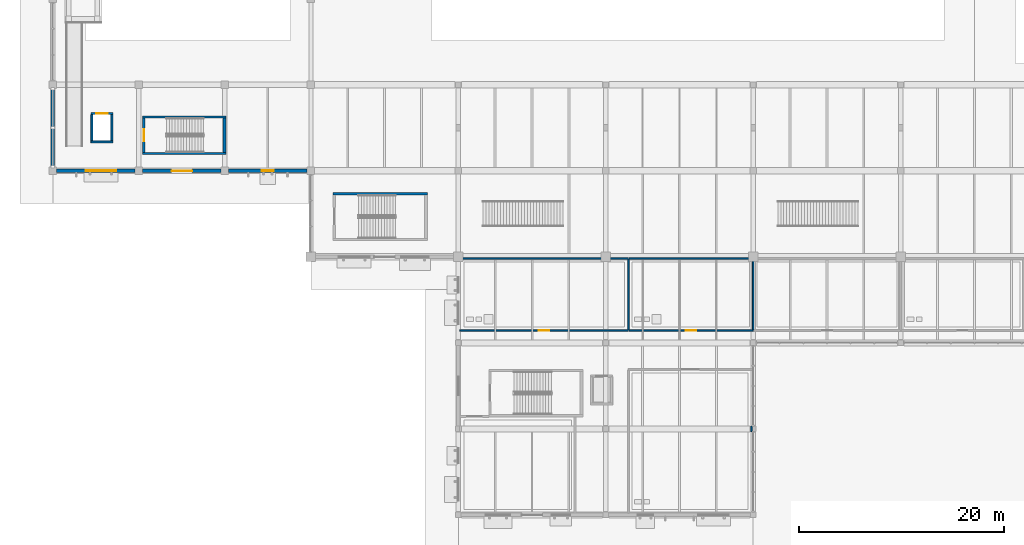
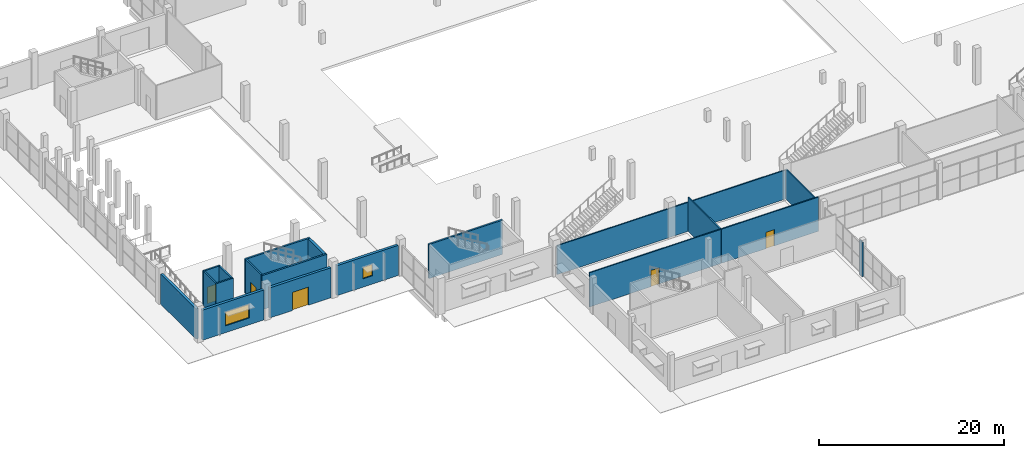
# One storey, part 91 of 130: 20 walls, 5 doors, 2 windows, 7 openings.
"""IFC4 building model written with IfcOpenShell, lengths in metres."""

from ifc_helpers import new_model, si_unit, direction, frame, frame_2d, origin, place, context, subcontext, project, spatial, rectangle, extrude, material, layer, layer_set, type_object, element, fill, save


model = new_model("IFC4")

# Units and contexts
model_context = context("Model", 3, precision=1e-05, world=origin(), true_north=direction((0.0, 1.0)))
body_context = subcontext(model_context, "Body", "Model", "MODEL_VIEW")
ifc_project = project(units=[si_unit("LENGTHUNIT", "METRE"), si_unit("AREAUNIT", "SQUARE_METRE"), si_unit("VOLUMEUNIT", "CUBIC_METRE"), si_unit("PLANEANGLEUNIT", "RADIAN"), si_unit("MASSUNIT", "GRAM", prefix="KILO"), si_unit("THERMODYNAMICTEMPERATUREUNIT", "KELVIN")], contexts=[model_context])

# Site, building, storey
site_placement = place(None, origin())
site = spatial("IfcSite", under=ifc_project, at=site_placement, CompositionType="ELEMENT")
building_placement = place(site_placement, origin())
building = spatial("IfcBuilding", under=site, at=building_placement, Name="Nduvali Passage Aquatics Centre", CompositionType="ELEMENT")
storey_placement = place(building_placement, origin())
storey = spatial("IfcBuildingStorey", under=building, at=storey_placement, Name="L00", CompositionType="ELEMENT", Elevation=0.0)

# Wall, opening, window
ifc_material_1 = material(Name="Coral-stone masonry blockwork", Category="masonry")
ifc_layer_1 = layer(ifc_material_1, 0.320068359375, Name="Coral-stone masonry blockwork")
ifc_layer_set_1 = layer_set([ifc_layer_1], Name="Coral-stone masonry blockwork")
wall_type_1 = type_object("IfcWallType", Name="ENV-WAL-CORAL320", PredefinedType="STANDARD", material=ifc_layer_set_1)
wall_1_placement = place(storey_placement, frame((0.375, 33.60009765625, 0.0), z_axis=(0.0, 0.0, 1.0), x_axis=(1.0, 0.0, 0.0)))
wall_1 = element("IfcWall", 1, at=wall_1_placement, inside=storey, type_object=wall_type_1, Name="L00 Diving South Facade 0021", PredefinedType="STANDARD", context=body_context, shape_type="SweptSolid", body=[
    extrude(rectangle(XDim=7.64990234375, YDim=0.320068359375, at=frame_2d((3.824951171875, 0.0))), origin(), (0.0, 0.0, 1.0), 3.976318359375),
])
opening_1_placement = place(wall_1_placement, frame((2.824951171875, 0.0, 0.89990234375)))
opening_1 = element("IfcOpeningElement", 2, at=opening_1_placement, cuts=wall_1, Name="Opening W4", PredefinedType="OPENING", context=body_context, shape_type="SweptSolid", body=[
    extrude(rectangle(XDim=3.0, YDim=1.800048828125, at=frame_2d((1.5, 0.89990234375))), frame((0.0, 0.1748046875, 0.0), z_axis=(0.0, -1.0, 0.0), x_axis=(1.0, 0.0, 0.0)), (0.0, 0.0, 1.0), 0.349853515625),
])
ifc_material_2 = material(Name="Aluminium-framed solar-control low-E IGU", Category="aluminium")
window_type_1 = type_object("IfcWindowType", Name="ENV-WIN-W4", PartitioningType="SINGLE_PANEL", PredefinedType="WINDOW", material=ifc_material_2)
window_1_placement = place(opening_1_placement, origin())
window_1 = element("IfcWindow", 3, at=window_1_placement, inside=storey, type_object=window_type_1, Name="L00 Exterior Window W4-0035", OverallHeight=1.800048828125, OverallWidth=3.0, PartitioningType="SINGLE_PANEL", PredefinedType="WINDOW", context=body_context, shape_type="SweptSolid", body=[
    extrude(rectangle(XDim=3.0, YDim=1.800048828125, at=frame_2d((1.5, 0.89990234375))), frame((0.0, 0.030029296875, 0.0), z_axis=(0.0, -1.0, 0.0), x_axis=(1.0, 0.0, 0.0)), (0.0, 0.0, 1.0), 0.06005859375),
])
fill(opening_1, window_1)

# Wall, opening, door
wall_2_placement = place(storey_placement, frame((8.77490234375, 33.60009765625, 0.0), z_axis=(0.0, 0.0, 1.0), x_axis=(1.0, 0.0, 0.0)))
wall_2 = element("IfcWall", 4, at=wall_2_placement, inside=storey, type_object=wall_type_1, Name="L00 Diving South Facade 0023", PredefinedType="STANDARD", context=body_context, shape_type="SweptSolid", body=[
    extrude(rectangle(XDim=7.650146484375, YDim=0.320068359375, at=frame_2d((3.8251953125, 0.0))), origin(), (0.0, 0.0, 1.0), 3.976318359375),
])
opening_2_placement = place(wall_2_placement, frame((2.824951171875, 0.0, 0.0)))
opening_2 = element("IfcOpeningElement", 5, at=opening_2_placement, cuts=wall_2, Name="Opening ED2", PredefinedType="OPENING", context=body_context, shape_type="SweptSolid", body=[
    extrude(rectangle(XDim=2.0, YDim=2.39990234375, at=frame_2d((1.0, 1.199951171875))), frame((0.0, 0.1748046875, 0.0), z_axis=(0.0, -1.0, 0.0), x_axis=(1.0, 0.0, 0.0)), (0.0, 0.0, 1.0), 0.349853515625),
])
ifc_material_3 = material(Name="Aluminium-framed glazed door", Category="aluminium")
door_type_1 = type_object("IfcDoorType", Name="ENV-DR-EX200", OperationType="DOUBLE_DOOR_SINGLE_SWING", PredefinedType="DOOR", material=ifc_material_3)
door_1_placement = place(opening_2_placement, frame((2.0, 0.0, 0.0), z_axis=(0.0, 0.0, 1.0), x_axis=(-1.0, 0.0, 0.0)))
door_1 = element("IfcDoor", 6, at=door_1_placement, inside=storey, type_object=door_type_1, Name="L00 Exterior Exit Door ED2-005", OperationType="DOUBLE_DOOR_SINGLE_SWING", OverallHeight=2.39990234375, OverallWidth=2.0, PredefinedType="DOOR", context=body_context, shape_type="SweptSolid", body=[
    extrude(rectangle(XDim=2.0, YDim=2.39990234375, at=frame_2d((1.0, 1.199951171875))), frame((0.0, 0.02490234375, 0.0), z_axis=(0.0, -1.0, 0.0), x_axis=(1.0, 0.0, 0.0)), (0.0, 0.0, 1.0), 0.050048828125),
])
fill(opening_2, door_1)

# Wall, opening, window
wall_3_placement = place(storey_placement, frame((17.175048828125, 33.60009765625, 0.0), z_axis=(0.0, 0.0, 1.0), x_axis=(1.0, 0.0, 0.0)))
wall_3 = element("IfcWall", 7, at=wall_3_placement, inside=storey, type_object=wall_type_1, Name="L00 Diving South Facade 0025", PredefinedType="STANDARD", context=body_context, shape_type="SweptSolid", body=[
    extrude(rectangle(XDim=7.64990234375, YDim=0.320068359375, at=frame_2d((3.824951171875, 0.0))), origin(), (0.0, 0.0, 1.0), 3.976318359375),
])
opening_3_placement = place(wall_3_placement, frame((3.22509765625, 0.0, 1.10009765625)))
opening_3 = element("IfcOpeningElement", 8, at=opening_3_placement, cuts=wall_3, Name="Opening W6", PredefinedType="OPENING", context=body_context, shape_type="SweptSolid", body=[
    extrude(rectangle(XDim=1.199951171875, YDim=1.5, at=frame_2d((0.60009765625, 0.75))), frame((0.0, 0.1748046875, 0.0), z_axis=(0.0, -1.0, 0.0), x_axis=(1.0, 0.0, 0.0)), (0.0, 0.0, 1.0), 0.349853515625),
])
window_type_2 = type_object("IfcWindowType", Name="ENV-WIN-W6", PartitioningType="SINGLE_PANEL", PredefinedType="WINDOW", material=ifc_material_2)
window_2_placement = place(opening_3_placement, origin())
window_2 = element("IfcWindow", 9, at=window_2_placement, inside=storey, type_object=window_type_2, Name="L00 Exterior Window W6-0037", OverallHeight=1.5, OverallWidth=1.199951171875, PartitioningType="SINGLE_PANEL", PredefinedType="WINDOW", context=body_context, shape_type="SweptSolid", body=[
    extrude(rectangle(XDim=1.199951171875, YDim=1.5, at=frame_2d((0.60009765625, 0.75))), frame((0.0, 0.030029296875, 0.0), z_axis=(0.0, -1.0, 0.0), x_axis=(1.0, 0.0, 0.0)), (0.0, 0.0, 1.0), 0.06005859375),
])
fill(opening_3, window_2)

# Walls
wall_4_placement = place(storey_placement, frame((0.0, 41.625, 0.0), z_axis=(0.0, 0.0, 1.0), x_axis=(0.0, -1.0, 0.0)))
element("IfcWall", 10, at=wall_4_placement, inside=storey, type_object=wall_type_1, Name="L00 Diving West Facade 0027", PredefinedType="STANDARD", context=body_context, shape_type="SweptSolid", body=[
    extrude(rectangle(XDim=7.64990234375, YDim=0.320068359375, at=frame_2d((3.824951171875, 0.0))), origin(), (0.0, 0.0, 1.0), 3.976318359375),
])
ifc_material_4 = material(Name="Concrete C40/50", Category="concrete")
ifc_layer_2 = layer(ifc_material_4, 0.219970703125, Name="Concrete C40/50")
ifc_layer_set_2 = layer_set([ifc_layer_2], Name="Concrete C40/50")
wall_type_2 = type_object("IfcWallType", Name="INT-WAL-CORE220", PredefinedType="SOLIDWALL", material=ifc_layer_set_2)
for number, where, z_axis, x_axis, name in (
    (11, (8.780029296875, 35.2900390625, 0.0), (0.0, 0.0, 1.0), (1.0, 0.0, 0.0), "L00 Stair ST9 Core Wall S"),
    (12, (16.89990234375, 38.860107421875, 0.0), (0.0, 0.0, 1.0), (-1.0, 0.0, 0.0), "L00 Stair ST9 Core Wall N"),
):
    element("IfcWall", number, at=place(storey_placement, frame(where, z_axis=z_axis, x_axis=x_axis)), inside=storey, type_object=wall_type_2, Name=name, PredefinedType="SOLIDWALL", context=body_context, shape_type="SweptSolid", body=[
        extrude(rectangle(XDim=8.119873046875, YDim=0.219970703125, at=frame_2d((4.06005859375, 0.0))), origin(), (0.0, 0.0, 1.0), 4.52001953125),
    ])

# Wall, opening, door
wall_5_placement = place(storey_placement, frame((8.889892578125, 38.75, 0.0), z_axis=(0.0, 0.0, 1.0), x_axis=(0.0, -1.0, 0.0)))
wall_5 = element("IfcWall", 13, at=wall_5_placement, inside=storey, type_object=wall_type_2, Name="L00 Stair ST9 Core Wall W", PredefinedType="SOLIDWALL", context=body_context, shape_type="SweptSolid", body=[
    extrude(rectangle(XDim=3.35009765625, YDim=0.219970703125, at=frame_2d((1.675048828125, 0.0))), origin(), (0.0, 0.0, 1.0), 4.52001953125),
])
opening_4_placement = place(wall_5_placement, frame((1.074951171875, 0.0, 0.0)))
opening_4 = element("IfcOpeningElement", 14, at=opening_4_placement, cuts=wall_5, Name="Opening FD-ST2", PredefinedType="OPENING", context=body_context, shape_type="SweptSolid", body=[
    extrude(rectangle(XDim=1.199951171875, YDim=2.199951171875, at=frame_2d((0.60009765625, 1.10009765625))), frame((0.0, 0.125, 0.0), z_axis=(0.0, -1.0, 0.0), x_axis=(1.0, 0.0, 0.0)), (0.0, 0.0, 1.0), 0.249755859375),
])
ifc_material_5 = material(Name="Galvanised steel door", Category="steel")
door_type_2 = type_object("IfcDoorType", Name="INT-DR-ST120", OperationType="NOTDEFINED", PredefinedType="DOOR", material=ifc_material_5)
door_2_placement = place(opening_4_placement, origin())
door_2 = element("IfcDoor", 15, at=door_2_placement, inside=storey, type_object=door_type_2, Name="L00 Stair ST9 Fire Lobby Door", OperationType="SINGLE_SWING_RIGHT", OverallHeight=2.199951171875, OverallWidth=1.199951171875, PredefinedType="DOOR", context=body_context, shape_type="SweptSolid", body=[
    extrude(rectangle(XDim=1.199951171875, YDim=2.199951171875, at=frame_2d((0.60009765625, 1.10009765625))), frame((0.0, 0.02490234375, 0.0), z_axis=(0.0, -1.0, 0.0), x_axis=(1.0, 0.0, 0.0)), (0.0, 0.0, 1.0), 0.050048828125),
])
fill(opening_4, door_2)

# Walls
wall_6_placement = place(storey_placement, frame((36.60009765625, 31.360107421875, 0.0), z_axis=(0.0, 0.0, 1.0), x_axis=(-1.0, 0.0, 0.0)))
element("IfcWall", 16, at=wall_6_placement, inside=storey, type_object=wall_type_2, Name="L00 Stair ST13 Core Wall N", PredefinedType="SOLIDWALL", context=body_context, shape_type="SweptSolid", body=[
    extrude(rectangle(XDim=9.22021484375, YDim=0.219970703125, at=frame_2d((4.610107421875, 0.0))), origin(), (0.0, 0.0, 1.0), 4.52001953125),
])
ifc_layer_3 = layer(ifc_material_4, 0.18994140625, Name="Concrete C40/50")
ifc_layer_set_3 = layer_set([ifc_layer_3], Name="Concrete C40/50")
wall_type_3 = type_object("IfcWallType", Name="INT-WAL-SHAFT200", PredefinedType="SOLIDWALL", material=ifc_layer_set_3)
wall_7_placement = place(storey_placement, frame((3.72998046875, 36.425048828125, 0.0), z_axis=(0.0, 0.0, 1.0), x_axis=(1.0, 0.0, 0.0)))
element("IfcWall", 17, at=wall_7_placement, inside=storey, type_object=wall_type_3, Name="L00 Lift L5 Shaft Wall S", PredefinedType="SOLIDWALL", context=body_context, shape_type="SweptSolid", body=[
    extrude(rectangle(XDim=2.14013671875, YDim=0.18994140625, at=frame_2d((1.070068359375, 0.0))), origin(), (0.0, 0.0, 1.0), 4.52001953125),
])
wall_8_placement = place(storey_placement, frame((5.77490234375, 36.52001953125, 0.0), z_axis=(0.0, 0.0, 1.0), x_axis=(0.0, 1.0, 0.0)))
element("IfcWall", 18, at=wall_8_placement, inside=storey, type_object=wall_type_3, Name="L00 Lift L5 Shaft Wall E", PredefinedType="SOLIDWALL", context=body_context, shape_type="SweptSolid", body=[
    extrude(rectangle(XDim=2.56005859375, YDim=0.18994140625, at=frame_2d((1.280029296875, 0.0))), origin(), (0.0, 0.0, 1.0), 4.52001953125),
])

# Wall, opening, door
wall_9_placement = place(storey_placement, frame((5.8701171875, 39.175048828125, 0.0), z_axis=(0.0, 0.0, 1.0), x_axis=(-1.0, 0.0, 0.0)))
wall_9 = element("IfcWall", 19, at=wall_9_placement, inside=storey, type_object=wall_type_3, Name="L00 Lift L5 Shaft Wall N", PredefinedType="SOLIDWALL", context=body_context, shape_type="SweptSolid", body=[
    extrude(rectangle(XDim=2.14013671875, YDim=0.18994140625, at=frame_2d((1.070068359375, 0.0))), origin(), (0.0, 0.0, 1.0), 4.52001953125),
])
opening_5_placement = place(wall_9_placement, frame((0.52001953125, 0.0, 0.0)))
opening_5 = element("IfcOpeningElement", 20, at=opening_5_placement, cuts=wall_9, Name="Opening LD5", PredefinedType="OPENING", context=body_context, shape_type="SweptSolid", body=[
    extrude(rectangle(XDim=1.10009765625, YDim=2.199951171875, at=frame_2d((0.550048828125, 1.10009765625))), frame((0.0, 0.10986328125, 0.0), z_axis=(0.0, -1.0, 0.0), x_axis=(1.0, 0.0, 0.0)), (0.0, 0.0, 1.0), 0.2197265625),
])
ifc_material_6 = material(Name="Stainless steel landing door", Category="steel")
door_type_3 = type_object("IfcDoorType", Name="INT-DR-LD5", OperationType="DOUBLE_DOOR_SLIDING", PredefinedType="DOOR", material=ifc_material_6)
door_3_placement = place(opening_5_placement, origin())
door_3 = element("IfcDoor", 21, at=door_3_placement, inside=storey, type_object=door_type_3, Name="L00 Lift L5 Sliding Landing Door LD5", OperationType="DOUBLE_DOOR_SLIDING", OverallHeight=2.199951171875, OverallWidth=1.10009765625, PredefinedType="DOOR", context=body_context, shape_type="SweptSolid", body=[
    extrude(rectangle(XDim=1.10009765625, YDim=2.199951171875, at=frame_2d((0.550048828125, 1.10009765625))), frame((0.0, 0.02490234375, 0.0), z_axis=(0.0, -1.0, 0.0), x_axis=(1.0, 0.0, 0.0)), (0.0, 0.0, 1.0), 0.050048828125),
])
fill(opening_5, door_3)

# Wall
wall_10_placement = place(storey_placement, frame((3.824951171875, 39.080078125, 0.0), z_axis=(0.0, 0.0, 1.0), x_axis=(0.0, -1.0, 0.0)))
element("IfcWall", 22, at=wall_10_placement, inside=storey, type_object=wall_type_3, Name="L00 Lift L5 Shaft Wall W", PredefinedType="SOLIDWALL", context=body_context, shape_type="SweptSolid", body=[
    extrude(rectangle(XDim=2.56005859375, YDim=0.18994140625, at=frame_2d((1.280029296875, 0.0))), origin(), (0.0, 0.0, 1.0), 4.52001953125),
])

# Wall, opening, door
ifc_layer_4 = layer(ifc_material_1, 0.14990234375, Name="Coral-stone masonry blockwork")
ifc_layer_set_4 = layer_set([ifc_layer_4], Name="Coral-stone masonry blockwork")
wall_type_4 = type_object("IfcWallType", Name="INT-WAL-WET150", PredefinedType="PLUMBINGWALL", material=ifc_layer_set_4)
wall_11_placement = place(storey_placement, frame((39.760009765625, 18.0, 0.0), z_axis=(0.0, 0.0, 1.0), x_axis=(1.0, 0.0, 0.0)))
wall_11 = element("IfcWall", 23, at=wall_11_placement, inside=storey, type_object=wall_type_4, Name="L00 Athlete Wet Changing Village West Partition 0043", PredefinedType="PLUMBINGWALL", context=body_context, shape_type="SweptSolid", body=[
    extrude(rectangle(XDim=16.43994140625, YDim=0.14990234375, at=frame_2d((8.219970703125, 0.0))), origin(), (0.0, 0.0, 1.0), 4.52001953125),
])
opening_6_placement = place(wall_11_placement, frame((7.7099609375, 0.0, 0.0)))
opening_6 = element("IfcOpeningElement", 24, at=opening_6_placement, cuts=wall_11, Name="Opening ID1", PredefinedType="OPENING", context=body_context, shape_type="SweptSolid", body=[
    extrude(rectangle(XDim=1.02001953125, YDim=2.14990234375, at=frame_2d((0.510009765625, 1.074951171875))), frame((0.0, 0.08984375, 0.0), z_axis=(0.0, -1.0, 0.0), x_axis=(1.0, 0.0, 0.0)), (0.0, 0.0, 1.0), 0.1796875),
])
ifc_material_7 = material(Name="Timber solid-core door", Category="wood")
door_type_4 = type_object("IfcDoorType", Name="INT-DR-STD100", OperationType="NOTDEFINED", PredefinedType="DOOR", material=ifc_material_7)
door_4_placement = place(opening_6_placement, frame((1.02001953125, 0.0, 0.0), z_axis=(0.0, 0.0, 1.0), x_axis=(-1.0, 0.0, 0.0)))
door_4 = element("IfcDoor", 25, at=door_4_placement, inside=storey, type_object=door_type_4, Name="L00 Athlete Wet Changing Village West Door 0015", OperationType="SINGLE_SWING_RIGHT", OverallHeight=2.14990234375, OverallWidth=1.02001953125, PredefinedType="DOOR", context=body_context, shape_type="SweptSolid", body=[
    extrude(rectangle(XDim=1.02001953125, YDim=2.14990234375, at=frame_2d((0.510009765625, 1.074951171875))), frame((0.0, 0.02490234375, 0.0), z_axis=(0.0, -1.0, 0.0), x_axis=(1.0, 0.0, 0.0)), (0.0, 0.0, 1.0), 0.050048828125),
])
fill(opening_6, door_4)

# Walls
wall_12_placement = place(storey_placement, frame((39.760009765625, 25.0400390625, 0.0), z_axis=(0.0, 0.0, 1.0), x_axis=(1.0, 0.0, 0.0)))
element("IfcWall", 26, at=wall_12_placement, inside=storey, type_object=wall_type_4, Name="L00 Athlete Wet Changing Village West Partition 0044", PredefinedType="PLUMBINGWALL", context=body_context, shape_type="SweptSolid", body=[
    extrude(rectangle(XDim=16.43994140625, YDim=0.14990234375, at=frame_2d((8.219970703125, 0.0))), origin(), (0.0, 0.0, 1.0), 3.83251953125),
])
wall_13_placement = place(storey_placement, frame((56.199951171875, 18.074951171875, 0.0), z_axis=(0.0, 0.0, 1.0), x_axis=(0.0, 1.0, 0.0)))
element("IfcWall", 27, at=wall_13_placement, inside=storey, type_object=wall_type_4, Name="L00 Athlete Wet Changing Village West Partition 0045", PredefinedType="PLUMBINGWALL", context=body_context, shape_type="SweptSolid", body=[
    extrude(rectangle(XDim=6.89013671875, YDim=0.14990234375, at=frame_2d((3.445068359375, 0.0))), origin(), (0.0, 0.0, 1.0), 4.52001953125),
])
wall_14_placement = place(storey_placement, frame((68.25, 8.125, 0.0), z_axis=(0.0, 0.0, 1.0), x_axis=(0.0, 1.0, 0.0)))
element("IfcWall", 28, at=wall_14_placement, inside=storey, type_object=wall_type_4, Name="L00 West Pre-Swim Cleansing Shower Gallery Partition 0048", PredefinedType="PLUMBINGWALL", context=body_context, shape_type="SweptSolid", body=[
    extrude(rectangle(XDim=0.550048828125, YDim=0.14990234375, at=frame_2d((0.27490234375, 0.0))), origin(), (0.0, 0.0, 1.0), 4.52001953125),
])

# Wall, opening, door
wall_15_placement = place(storey_placement, frame((56.27490234375, 18.0, 0.0), z_axis=(0.0, 0.0, 1.0), x_axis=(1.0, 0.0, 0.0)))
wall_15 = element("IfcWall", 29, at=wall_15_placement, inside=storey, type_object=wall_type_4, Name="L00 Family and Accessible Changing Suite Partition 0049", PredefinedType="PLUMBINGWALL", context=body_context, shape_type="SweptSolid", body=[
    extrude(rectangle(XDim=12.125, YDim=0.14990234375, at=frame_2d((6.0625, 0.0))), origin(), (0.0, 0.0, 1.0), 4.52001953125),
])
opening_7_placement = place(wall_15_placement, frame((5.552001953125, 0.0, 0.0)))
opening_7 = element("IfcOpeningElement", 30, at=opening_7_placement, cuts=wall_15, Name="Opening ID1", PredefinedType="OPENING", context=body_context, shape_type="SweptSolid", body=[
    extrude(rectangle(XDim=1.02001953125, YDim=2.14990234375, at=frame_2d((0.510009765625, 1.074951171875))), frame((0.0, 0.08984375, 0.0), z_axis=(0.0, -1.0, 0.0), x_axis=(1.0, 0.0, 0.0)), (0.0, 0.0, 1.0), 0.1796875),
])
door_5_placement = place(opening_7_placement, frame((1.02001953125, 0.0, 0.0), z_axis=(0.0, 0.0, 1.0), x_axis=(-1.0, 0.0, 0.0)))
door_5 = element("IfcDoor", 31, at=door_5_placement, inside=storey, type_object=door_type_4, Name="L00 Family and Accessible Changing Suite Door 0017", OperationType="SINGLE_SWING_RIGHT", OverallHeight=2.14990234375, OverallWidth=1.02001953125, PredefinedType="DOOR", context=body_context, shape_type="SweptSolid", body=[
    extrude(rectangle(XDim=1.02001953125, YDim=2.14990234375, at=frame_2d((0.510009765625, 1.074951171875))), frame((0.0, 0.02490234375, 0.0), z_axis=(0.0, -1.0, 0.0), x_axis=(1.0, 0.0, 0.0)), (0.0, 0.0, 1.0), 0.050048828125),
])
fill(opening_7, door_5)

# Walls
wall_16_placement = place(storey_placement, frame((56.27490234375, 25.0400390625, 0.0), z_axis=(0.0, 0.0, 1.0), x_axis=(1.0, 0.0, 0.0)))
element("IfcWall", 32, at=wall_16_placement, inside=storey, type_object=wall_type_4, Name="L00 Family and Accessible Changing Suite Partition 0050", PredefinedType="PLUMBINGWALL", context=body_context, shape_type="SweptSolid", body=[
    extrude(rectangle(XDim=12.125, YDim=0.14990234375, at=frame_2d((6.0625, 0.0))), origin(), (0.0, 0.0, 1.0), 3.83251953125),
])
wall_17_placement = place(storey_placement, frame((68.39990234375, 18.074951171875, 0.0), z_axis=(0.0, 0.0, 1.0), x_axis=(0.0, 1.0, 0.0)))
element("IfcWall", 33, at=wall_17_placement, inside=storey, type_object=wall_type_4, Name="L00 Family and Accessible Changing Suite Partition 0051", PredefinedType="PLUMBINGWALL", context=body_context, shape_type="SweptSolid", body=[
    extrude(rectangle(XDim=6.89013671875, YDim=0.14990234375, at=frame_2d((3.445068359375, 0.0))), origin(), (0.0, 0.0, 1.0), 3.976318359375),
])
ifc_layer_5 = layer(ifc_material_4, 0.300048828125, Name="Concrete C40/50")
ifc_layer_set_5 = layer_set([ifc_layer_5], Name="Concrete C40/50")
wall_type_5 = type_object("IfcWallType", Name="STR-WAL-SHR300", PredefinedType="SHEAR", material=ifc_layer_set_5)
wall_18_placement = place(storey_placement, frame((16.75, 35.39990234375, 0.0), z_axis=(0.0, 0.0, 1.0), x_axis=(0.0, 1.0, 0.0)))
element("IfcWall", 34, at=wall_18_placement, inside=storey, type_object=wall_type_5, Name="L00 Stair ST9 Core Shear Wall E", PredefinedType="SHEAR", context=body_context, shape_type="SweptSolid", body=[
    extrude(rectangle(XDim=3.35009765625, YDim=0.300048828125, at=frame_2d((1.675048828125, 0.0))), origin(), (0.0, 0.0, 1.0), 4.52001953125),
])

save(model, "model.ifc")
